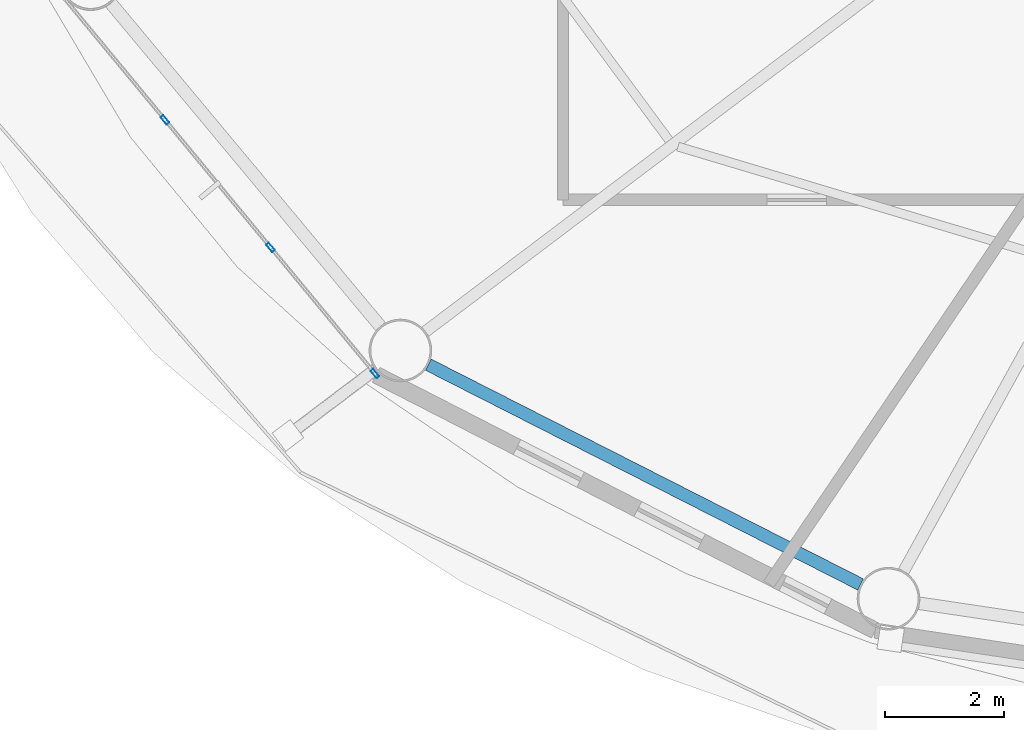
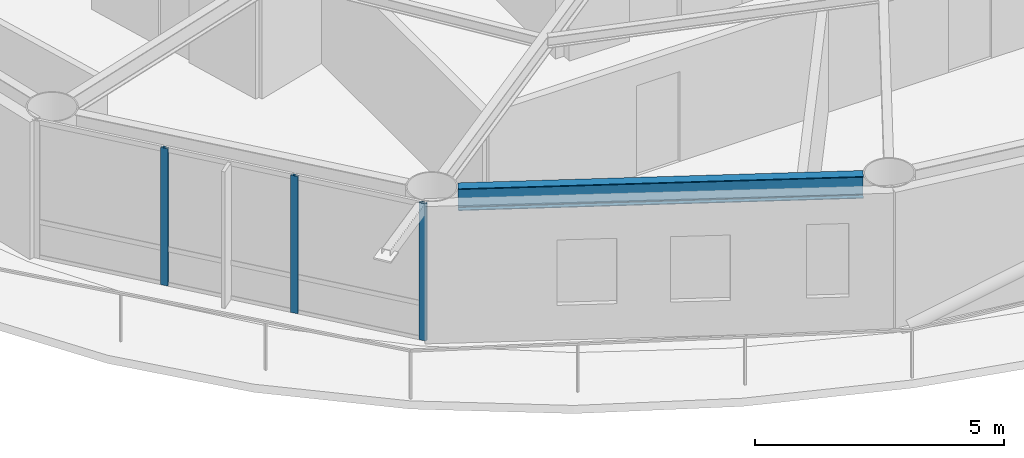
# One storey, part 2 of 23: 3 members, 1 beam, 1 element without a shape of its own.
"""IFC4 building model written with IfcOpenShell, lengths in metres."""

from ifc_helpers import new_model, si_unit, direction, frame, origin, origin_2d, place, context, subcontext, project, spatial, hollow_rectangle, i_section, extrude, material, layer, layer_set, material_profile, profile_set, type_object, element, aggregate, save


model = new_model("IFC4")

# Units and contexts
model_context = context("Model", 3, precision=1e-05, world=origin(), true_north=direction((0.0, 1.0)))
body_context = subcontext(model_context, "Body", "Model", "MODEL_VIEW")
ifc_project = project(units=[si_unit("LENGTHUNIT", "METRE"), si_unit("AREAUNIT", "SQUARE_METRE"), si_unit("VOLUMEUNIT", "CUBIC_METRE"), si_unit("PLANEANGLEUNIT", "RADIAN"), si_unit("MASSUNIT", "GRAM", prefix="KILO")], contexts=[model_context])

# Site, building, storey
site_placement = place(None, origin())
site = spatial("IfcSite", under=ifc_project, at=site_placement, CompositionType="ELEMENT")
building_placement = place(site_placement, origin())
building = spatial("IfcBuilding", under=site, at=building_placement, Name="Sarneth Arch Tower", CompositionType="ELEMENT")
storey_placement = place(building_placement, frame((0.0, 0.0, 235.199951171875)))
storey = spatial("IfcBuildingStorey", under=building, at=storey_placement, Name="L60", CompositionType="ELEMENT", Elevation=235.199951171875)

# Beam
ifc_material_1 = material(Name="Steel S355", Category="steel")
ifc_material_profile_1 = material_profile(ifc_material_1, i_section(OverallWidth=0.2109375, OverallDepth=0.5390625, WebThickness=0.01171875, FlangeThickness=0.018798828125, FilletRadius=0.01806640625, at=origin_2d()), Name="W530x109")
ifc_profile_set_1 = profile_set([ifc_material_profile_1], Name="Steel S355")
beam_type = type_object("IfcBeamType", Name="BM-RAD-530B", PredefinedType="BEAM", material=ifc_profile_set_1)
beam_placement = place(storey_placement, frame((30.49267578125, 28.185546875, 3.090576171875), z_axis=(0.891368271482, -0.453279830342, 0.0), x_axis=(0.453279830342, 0.891368271482, 0.0)))
element("IfcBeam", 1, at=beam_placement, inside=storey, type_object=beam_type, Name="L60 Perimeter spandrel beam 11", PredefinedType="BEAM", context=body_context, shape_type="SweptSolid", body=[
    extrude(i_section(OverallWidth=0.2109375, OverallDepth=0.5390625, WebThickness=0.01171875, FlangeThickness=0.018798828125, FilletRadius=0.01806640625, at=origin_2d()), origin(), (0.0, 0.0, 1.0), 8.1318359375),
])

# Curtain wall, members
ifc_material_2 = material(Name="Anodised aluminium Type AA25 and solar-control low-e laminated IGU", Category="aluminium")
ifc_layer = layer(ifc_material_2, 0.179931640625)
ifc_layer_set = layer_set([ifc_layer], Name="Anodised aluminium Type AA25 and solar-control low-e laminated IGU")
curtain_wall_type = type_object("IfcCurtainWallType", Name="CW-RES-HIGH", PredefinedType="NOTDEFINED", material=ifc_layer_set)
curtain_wall_placement = place(storey_placement, origin())
curtain_wall = element("IfcCurtainWall", 2, at=curtain_wall_placement, inside=storey, type_object=curtain_wall_type, Name="L60 Unitised curtain wall facet 10", PredefinedType="NOTDEFINED")
ifc_material_3 = material(Name="Anodised Aluminium 6063-T6", Category="aluminium")
ifc_material_profile_2 = material_profile(ifc_material_3, hollow_rectangle(XDim=0.06005859375, YDim=0.159912109375, WallThickness=0.00390625, at=origin_2d()), Name="AL-MULL-160x60x4")
ifc_profile_set_2 = profile_set([ifc_material_profile_2], Name="Anodised Aluminium 6063-T6")
member_type = type_object("IfcMemberType", Name="CW-MULLION", PredefinedType="MULLION", material=ifc_profile_set_2)
member_1_placement = place(storey_placement, frame((26.07666015625, 32.29150390625, 0.0), z_axis=(0.0, 0.0, 1.0), x_axis=(0.770359245933, 0.637610094184, 0.0)))
member_1 = element("IfcMember", 3, at=member_1_placement, type_object=member_type, Name="CW-SYS-6 mullion 2", PredefinedType="MULLION", context=body_context, shape_type="SweptSolid", body=[
    extrude(hollow_rectangle(XDim=0.06005859375, YDim=0.159912109375, WallThickness=0.00390625, at=origin_2d()), origin(), (0.0, 0.0, 1.0), 3.360107421875),
])
member_2_placement = place(storey_placement, frame((27.84716796875, 30.15234375, 0.0), z_axis=(0.0, 0.0, 1.0), x_axis=(0.770359245933, 0.637610094184, 0.0)))
member_2 = element("IfcMember", 4, at=member_2_placement, type_object=member_type, Name="CW-SYS-6 mullion 3", PredefinedType="MULLION", context=body_context, shape_type="SweptSolid", body=[
    extrude(hollow_rectangle(XDim=0.06005859375, YDim=0.159912109375, WallThickness=0.00390625, at=origin_2d()), origin(), (0.0, 0.0, 1.0), 3.360107421875),
])
member_3_placement = place(storey_placement, frame((29.598388671875, 28.03662109375, 0.0), z_axis=(0.0, 0.0, 1.0), x_axis=(0.770359245933, 0.637610094184, 0.0)))
member_3 = element("IfcMember", 5, at=member_3_placement, type_object=member_type, Name="CW-SYS-6 mullion 4", PredefinedType="MULLION", context=body_context, shape_type="SweptSolid", body=[
    extrude(hollow_rectangle(XDim=0.06005859375, YDim=0.159912109375, WallThickness=0.00390625, at=origin_2d()), origin(), (0.0, 0.0, 1.0), 3.360107421875),
])
aggregate(curtain_wall, [member_1, member_2, member_3])

save(model, "model.ifc")
